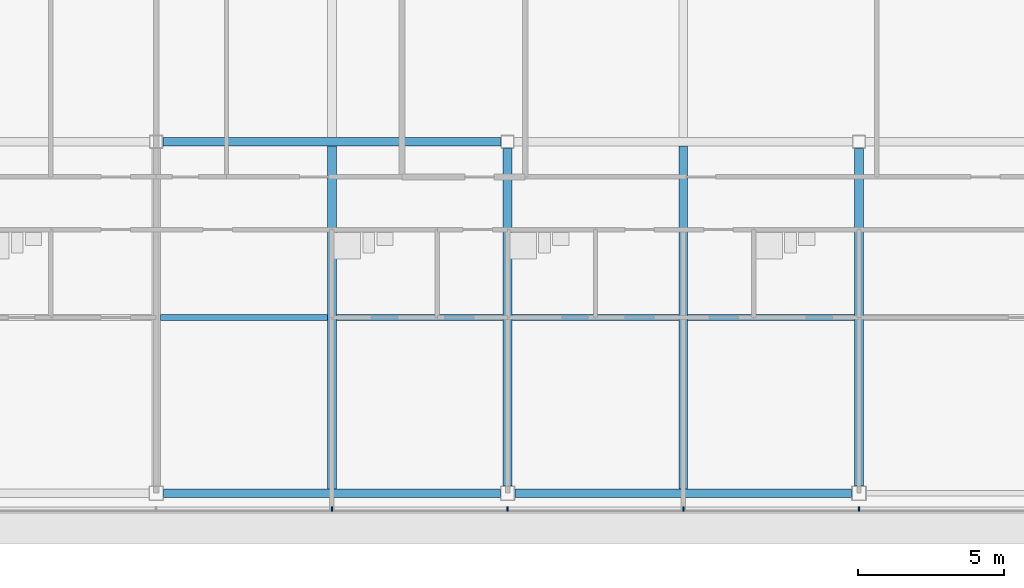
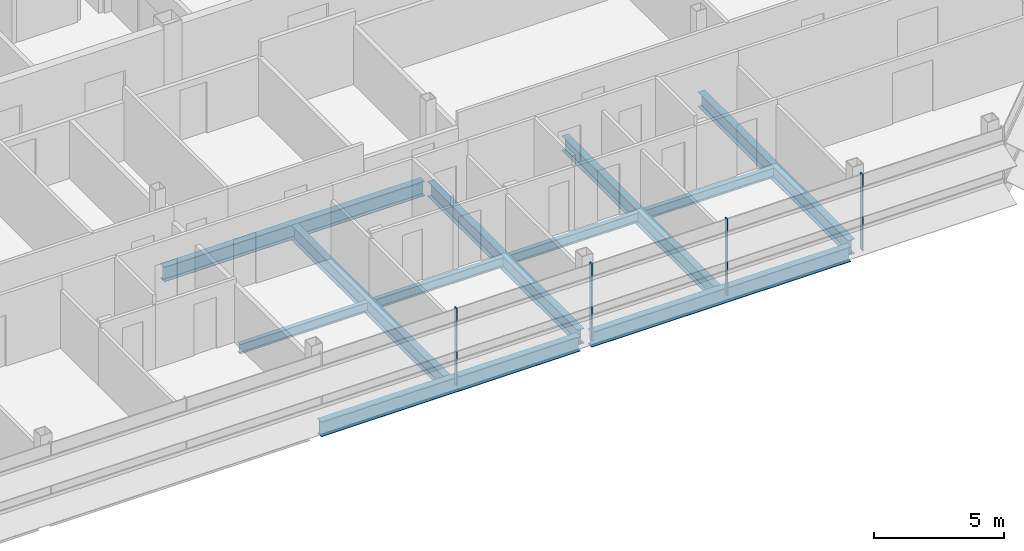
# One storey, part 10 of 28: 11 beams, 4 members, 1 element without a shape of its own.
"""IFC4 building model written with IfcOpenShell, lengths in metres."""

from ifc_helpers import new_model, si_unit, direction, frame, origin, origin_2d, place, context, subcontext, project, spatial, rectangle, i_section, extrude, material, material_profile, profile_set, type_object, element, aggregate, save


model = new_model("IFC4")

# Units and contexts
model_context = context("Model", 3, precision=1e-05, world=origin(), true_north=direction((0.0, 1.0)))
body_context = subcontext(model_context, "Body", "Model", "MODEL_VIEW")
ifc_project = project(units=[si_unit("LENGTHUNIT", "METRE"), si_unit("AREAUNIT", "SQUARE_METRE"), si_unit("VOLUMEUNIT", "CUBIC_METRE"), si_unit("PLANEANGLEUNIT", "RADIAN"), si_unit("MASSUNIT", "GRAM", prefix="KILO")], contexts=[model_context])

# Site, building, storey
site_placement = place(None, origin())
site = spatial("IfcSite", under=ifc_project, at=site_placement, CompositionType="ELEMENT")
building_placement = place(site_placement, origin())
building = spatial("IfcBuilding", under=site, at=building_placement, Name="Sorahane Residences", CompositionType="ELEMENT")
storey_placement = place(building_placement, frame((0.0, 0.0, 305.199951171875)))
storey = spatial("IfcBuildingStorey", under=building, at=storey_placement, Name="L72", CompositionType="ELEMENT", Elevation=305.199951171875)

# Curtain wall, members
ifc_material_1 = material(Name="Dark low-e glass and black anodised aluminium", Category="aluminium")
curtain_wall_type = type_object("IfcCurtainWallType", Name="Curtain wall CW-1 Typical unitised wall", PredefinedType="NOTDEFINED", material=ifc_material_1)
curtain_wall_placement = place(storey_placement, origin())
curtain_wall = element("IfcCurtainWall", 1, at=curtain_wall_placement, inside=storey, type_object=curtain_wall_type, Name="CW-1 curtain wall L72 S1", PredefinedType="NOTDEFINED")
ifc_material_2 = material(Name="Black anodised aluminium", Category="aluminium")
ifc_material_profile_1 = material_profile(ifc_material_2, rectangle(XDim=0.159912109375, YDim=0.050048828125, at=origin_2d()), Name="Curtain wall mullion CW-1 black anodised aluminium 50x160")
ifc_profile_set_1 = profile_set([ifc_material_profile_1], Name="Black anodised aluminium")
member_type = type_object("IfcMemberType", Name="Curtain wall mullion CW-1 black anodised aluminium 50x160", PredefinedType="MULLION", material=ifc_profile_set_1)
member_1_placement = place(storey_placement, frame((18.0, -0.5400390625, -0.179931640625), z_axis=(0.0, 0.0, 1.0), x_axis=(0.0, -1.0, 0.0)))
member_1 = element("IfcMember", 2, at=member_1_placement, type_object=member_type, Name="CW-1 mullion L72 S1.6", PredefinedType="MULLION", context=body_context, shape_type="SweptSolid", body=[
    extrude(rectangle(XDim=0.159912109375, YDim=0.050048828125, at=origin_2d()), origin(), (0.0, 0.0, 1.0), 3.60009765625),
])
member_2_placement = place(storey_placement, frame((24.0, -0.5400390625, -0.179931640625), z_axis=(0.0, 0.0, 1.0), x_axis=(0.0, -1.0, 0.0)))
member_2 = element("IfcMember", 3, at=member_2_placement, type_object=member_type, Name="CW-1 mullion L72 S1.7", PredefinedType="MULLION", context=body_context, shape_type="SweptSolid", body=[
    extrude(rectangle(XDim=0.159912109375, YDim=0.050048828125, at=origin_2d()), origin(), (0.0, 0.0, 1.0), 3.60009765625),
])
member_3_placement = place(storey_placement, frame((30.0, -0.5400390625, -0.179931640625), z_axis=(0.0, 0.0, 1.0), x_axis=(0.0, -1.0, 0.0)))
member_3 = element("IfcMember", 4, at=member_3_placement, type_object=member_type, Name="CW-1 mullion L72 S1.8", PredefinedType="MULLION", context=body_context, shape_type="SweptSolid", body=[
    extrude(rectangle(XDim=0.159912109375, YDim=0.050048828125, at=origin_2d()), origin(), (0.0, 0.0, 1.0), 3.60009765625),
])
member_4_placement = place(storey_placement, frame((36.0, -0.5400390625, -0.179931640625), z_axis=(0.0, 0.0, 1.0), x_axis=(0.0, -1.0, 0.0)))
member_4 = element("IfcMember", 5, at=member_4_placement, type_object=member_type, Name="CW-1 mullion L72 S1.9", PredefinedType="MULLION", context=body_context, shape_type="SweptSolid", body=[
    extrude(rectangle(XDim=0.159912109375, YDim=0.050048828125, at=origin_2d()), origin(), (0.0, 0.0, 1.0), 3.60009765625),
])
aggregate(curtain_wall, [member_1, member_2, member_3, member_4])

# Beams
ifc_material_3 = material(Name="Steel Q355B", Category="steel")
ifc_material_profile_2 = material_profile(ifc_material_3, i_section(OverallWidth=0.199951171875, OverallDepth=0.449951171875, WebThickness=0.009033203125, FlangeThickness=0.013916015625, FilletRadius=0.02001953125, at=origin_2d()), Name="HN 450x200x9x14")
ifc_profile_set_2 = profile_set([ifc_material_profile_2], Name="Steel Q355B")
beam_type_1 = type_object("IfcBeamType", Name="Steel floor beam HN 450x200x9x14 Q355B", PredefinedType="BEAM", material=ifc_profile_set_2)
for number, where, z_axis, x_axis, name in (
    (6, (12.14990234375, 6.0, -0.405029296875), (1.0, 0.0, 0.0), (0.0, 1.0, 0.0), "Beam L72 070"),
    (7, (18.14990234375, 6.0, -0.405029296875), (1.0, 0.0, 0.0), (0.0, 1.0, 0.0), "Beam L72 071"),
    (8, (24.14990234375, 6.0, -0.405029296875), (1.0, 0.0, 0.0), (0.0, 1.0, 0.0), "Beam L72 072"),
    (9, (30.14990234375, 6.0, -0.405029296875), (1.0, 0.0, 0.0), (0.0, 1.0, 0.0), "Beam L72 073"),
):
    element("IfcBeam", number, at=place(storey_placement, frame(where, z_axis=z_axis, x_axis=x_axis)), inside=storey, type_object=beam_type_1, Name=name, PredefinedType="BEAM", context=body_context, shape_type="SweptSolid", body=[
        extrude(i_section(OverallWidth=0.199951171875, OverallDepth=0.449951171875, WebThickness=0.009033203125, FlangeThickness=0.013916015625, FilletRadius=0.02001953125, at=origin_2d()), origin(), (0.0, 0.0, 1.0), 5.7001953125),
    ])
ifc_material_4 = material(Name="Steel Q355B", Category="steel")
ifc_material_profile_3 = material_profile(ifc_material_4, i_section(OverallWidth=0.300048828125, OverallDepth=0.699951171875, WebThickness=0.012939453125, FlangeThickness=0.02392578125, FilletRadius=0.028076171875, at=origin_2d()), Name="HN 700x300x13x24")
ifc_profile_set_3 = profile_set([ifc_material_profile_3], Name="Steel Q355B")
beam_type_2 = type_object("IfcBeamType", Name="Steel floor beam HN 700x300x13x24 Q355B", PredefinedType="BEAM", material=ifc_profile_set_3)
for number, where, z_axis, x_axis, name in (
    (10, (12.25, 0.0, -0.530029296875), (1.0, 0.0, 0.0), (0.0, 1.0, 0.0), "Beam L72 002"),
    (11, (24.25, 0.0, -0.530029296875), (1.0, 0.0, 0.0), (0.0, 1.0, 0.0), "Beam L72 003"),
):
    element("IfcBeam", number, at=place(storey_placement, frame(where, z_axis=z_axis, x_axis=x_axis)), inside=storey, type_object=beam_type_2, Name=name, PredefinedType="BEAM", context=body_context, shape_type="SweptSolid", body=[
        extrude(i_section(OverallWidth=0.300048828125, OverallDepth=0.699951171875, WebThickness=0.012939453125, FlangeThickness=0.02392578125, FilletRadius=0.028076171875, at=origin_2d()), origin(), (0.0, 0.0, 1.0), 11.5),
    ])
beam_1_placement = place(storey_placement, frame((12.22509765625, 12.0, -0.530029296875), z_axis=(1.0, 0.0, 0.0), x_axis=(0.0, 1.0, 0.0)))
element("IfcBeam", 12, at=beam_1_placement, inside=storey, type_object=beam_type_2, Name="Beam L72 008", PredefinedType="BEAM", context=body_context, shape_type="SweptSolid", body=[
    extrude(i_section(OverallWidth=0.300048828125, OverallDepth=0.699951171875, WebThickness=0.012939453125, FlangeThickness=0.02392578125, FilletRadius=0.028076171875, at=origin_2d()), origin(), (0.0, 0.0, 1.0), 11.5498046875),
])
beam_2_placement = place(storey_placement, frame((18.0, 0.14990234375, -0.530029296875), z_axis=(0.0, 1.0, 0.0), x_axis=(-1.0, 0.0, 0.0)))
element("IfcBeam", 13, at=beam_2_placement, inside=storey, type_object=beam_type_2, Name="Beam L72 040", PredefinedType="BEAM", context=body_context, shape_type="SweptSolid", body=[
    extrude(i_section(OverallWidth=0.300048828125, OverallDepth=0.699951171875, WebThickness=0.012939453125, FlangeThickness=0.02392578125, FilletRadius=0.028076171875, at=origin_2d()), origin(), (0.0, 0.0, 1.0), 11.7001953125),
])
beam_3_placement = place(storey_placement, frame((24.0, 0.25, -0.530029296875), z_axis=(0.0, 1.0, 0.0), x_axis=(-1.0, 0.0, 0.0)))
element("IfcBeam", 14, at=beam_3_placement, inside=storey, type_object=beam_type_2, Name="Beam L72 046", PredefinedType="BEAM", context=body_context, shape_type="SweptSolid", body=[
    extrude(i_section(OverallWidth=0.300048828125, OverallDepth=0.699951171875, WebThickness=0.012939453125, FlangeThickness=0.02392578125, FilletRadius=0.028076171875, at=origin_2d()), origin(), (0.0, 0.0, 1.0), 11.52490234375),
])
beam_4_placement = place(storey_placement, frame((30.0, 0.14990234375, -0.530029296875), z_axis=(0.0, 1.0, 0.0), x_axis=(-1.0, 0.0, 0.0)))
element("IfcBeam", 15, at=beam_4_placement, inside=storey, type_object=beam_type_2, Name="Beam L72 048", PredefinedType="BEAM", context=body_context, shape_type="SweptSolid", body=[
    extrude(i_section(OverallWidth=0.300048828125, OverallDepth=0.699951171875, WebThickness=0.012939453125, FlangeThickness=0.02392578125, FilletRadius=0.028076171875, at=origin_2d()), origin(), (0.0, 0.0, 1.0), 11.7001953125),
])
beam_5_placement = place(storey_placement, frame((36.0, 0.25, -0.530029296875), z_axis=(0.0, 1.0, 0.0), x_axis=(-1.0, 0.0, 0.0)))
element("IfcBeam", 16, at=beam_5_placement, inside=storey, type_object=beam_type_2, Name="Beam L72 054", PredefinedType="BEAM", context=body_context, shape_type="SweptSolid", body=[
    extrude(i_section(OverallWidth=0.300048828125, OverallDepth=0.699951171875, WebThickness=0.012939453125, FlangeThickness=0.02392578125, FilletRadius=0.028076171875, at=origin_2d()), origin(), (0.0, 0.0, 1.0), 11.52490234375),
])

save(model, "model.ifc")
